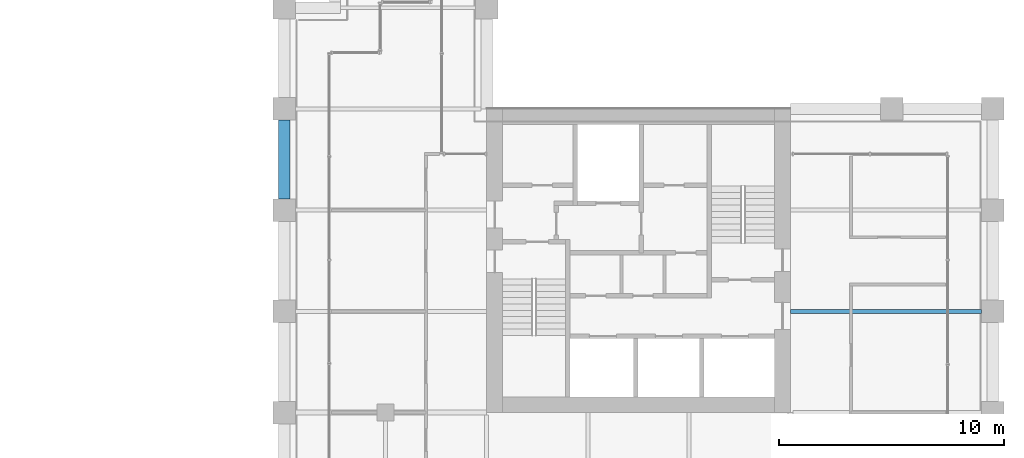
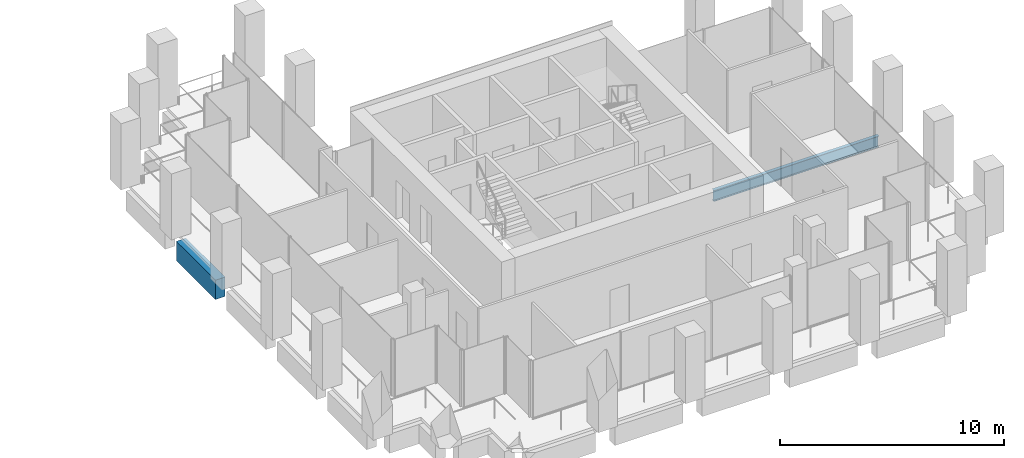
# One storey, part 33 of 47: 2 beams.
"""IFC4 building model written with IfcOpenShell, lengths in metres."""

from ifc_helpers import new_model, si_unit, direction, frame, origin, origin_2d, place, context, subcontext, project, spatial, rectangle, i_section, extrude, material, material_profile, profile_set, type_object, element, save


model = new_model("IFC4")

# Units and contexts
model_context = context("Model", 3, precision=1e-05, world=origin(), true_north=direction((0.0, 1.0)))
body_context = subcontext(model_context, "Body", "Model", "MODEL_VIEW")
ifc_project = project(units=[si_unit("LENGTHUNIT", "METRE"), si_unit("AREAUNIT", "SQUARE_METRE"), si_unit("VOLUMEUNIT", "CUBIC_METRE"), si_unit("PLANEANGLEUNIT", "RADIAN"), si_unit("MASSUNIT", "GRAM", prefix="KILO")], contexts=[model_context])

# Site, building, storey
site_placement = place(None, origin())
site = spatial("IfcSite", under=ifc_project, at=site_placement, CompositionType="ELEMENT")
building_placement = place(site_placement, origin())
building = spatial("IfcBuilding", under=site, at=building_placement, Name="Altepetl Exchange Towers", CompositionType="ELEMENT")
storey_placement = place(building_placement, frame((0.0, 0.0, 99.199951171875)))
storey = spatial("IfcBuildingStorey", under=building, at=storey_placement, Name="L24", CompositionType="ELEMENT", Elevation=99.199951171875)

# Beams
ifc_material_1 = material(Name="Steel S355", Category="steel")
ifc_material_profile_1 = material_profile(ifc_material_1, i_section(OverallWidth=0.177978515625, OverallDepth=0.59912109375, WebThickness=0.010009765625, FlangeThickness=0.0126953125, at=origin_2d()), Name="W24X55")
ifc_profile_set_1 = profile_set([ifc_material_profile_1], Name="Steel S355")
beam_type_1 = type_object("IfcBeamType", Name="Floor beam W24X55", PredefinedType="BEAM", material=ifc_profile_set_1)
beam_1_placement = place(storey_placement, frame((117.0, 40.5, -0.449462890625), z_axis=(1.0, 0.0, 0.0), x_axis=(0.0, 1.0, 0.0)))
element("IfcBeam", 1, at=beam_1_placement, inside=storey, type_object=beam_type_1, Name="bm:B:L24:002", PredefinedType="BEAM", context=body_context, shape_type="SweptSolid", body=[
    extrude(i_section(OverallWidth=0.177978515625, OverallDepth=0.59912109375, WebThickness=0.010009765625, FlangeThickness=0.0126953125, at=origin_2d()), origin(), (0.0, 0.0, 1.0), 8.5),
])
ifc_material_2 = material(Name="Concrete C50/60 precast with cantera rosa facing", Category="concrete")
ifc_material_profile_2 = material_profile(ifc_material_2, rectangle(XDim=0.5, YDim=1.050048828125, at=origin_2d()), Name="500 x 1050")
ifc_profile_set_2 = profile_set([ifc_material_profile_2], Name="Concrete C50/60 precast with cantera rosa facing")
beam_type_2 = type_object("IfcBeamType", Name="Spandrel beam 500x1050 cantera rosa", PredefinedType="SPANDREL", material=ifc_profile_set_2)
beam_2_placement = place(storey_placement, frame((94.5, 49.0, -0.675048828125), z_axis=(0.0, -1.0, 0.0), x_axis=(1.0, 0.0, 0.0)))
element("IfcBeam", 2, at=beam_2_placement, inside=storey, type_object=beam_type_2, Name="sp:B:L24:023", PredefinedType="SPANDREL", context=body_context, shape_type="SweptSolid", body=[
    extrude(rectangle(XDim=0.5, YDim=1.050048828125, at=origin_2d()), origin(), (0.0, 0.0, 1.0), 3.5),
])

save(model, "model.ifc")
